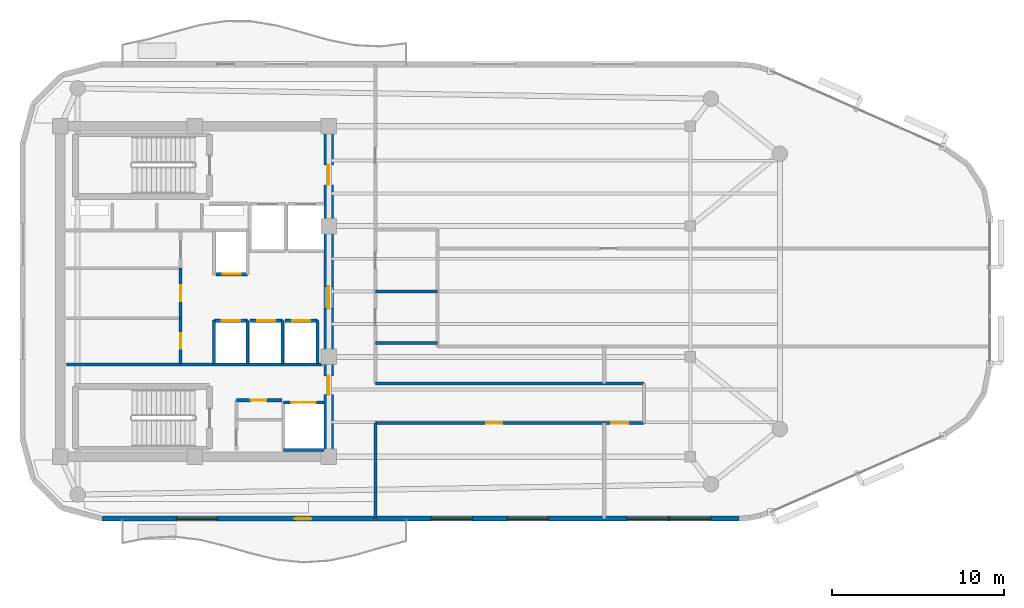
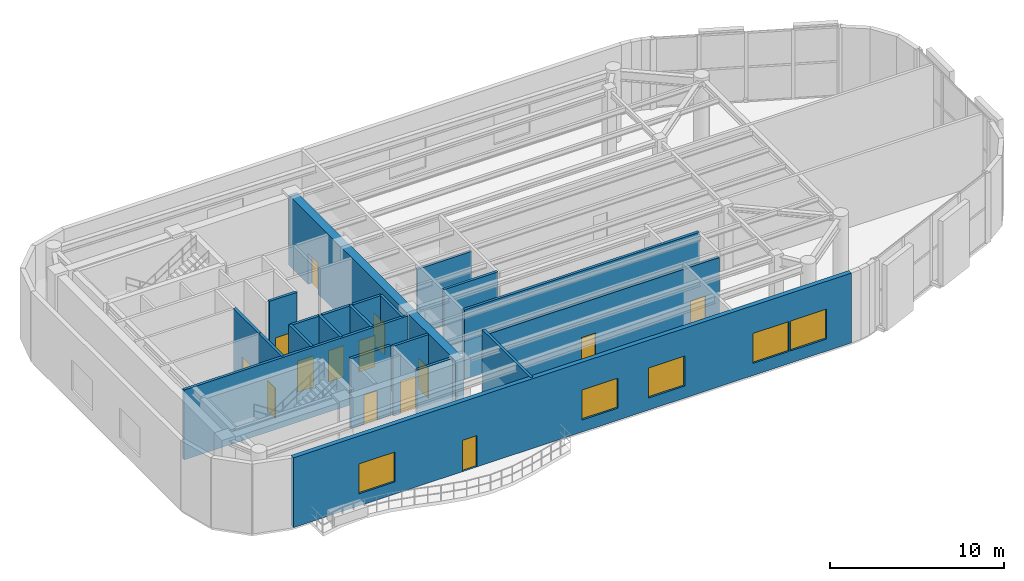
# One storey, part 8 of 12: 21 walls, 14 doors, 5 windows, 19 openings.
"""IFC4 building model written with IfcOpenShell, lengths in metres."""

from ifc_helpers import new_model, si_unit, direction, frame, frame_2d, origin, place, context, subcontext, project, spatial, rectangle, extrude, material, layer, layer_set, type_object, element, fill, save


model = new_model("IFC4")

# Units and contexts
model_context = context("Model", 3, precision=1e-05, world=origin(), true_north=direction((0.0, 1.0)))
body_context = subcontext(model_context, "Body", "Model", "MODEL_VIEW")
ifc_project = project(units=[si_unit("LENGTHUNIT", "METRE"), si_unit("AREAUNIT", "SQUARE_METRE"), si_unit("VOLUMEUNIT", "CUBIC_METRE"), si_unit("PLANEANGLEUNIT", "RADIAN"), si_unit("MASSUNIT", "GRAM", prefix="KILO")], contexts=[model_context])

# Site, building, storey
site_placement = place(None, origin())
site = spatial("IfcSite", under=ifc_project, at=site_placement, CompositionType="ELEMENT")
building_placement = place(site_placement, origin())
building = spatial("IfcBuilding", under=site, at=building_placement, Name="An Khanh Terracotta Commons", CompositionType="ELEMENT")
storey_placement = place(building_placement, frame((0.0, 0.0, 253.699951171875)))
storey = spatial("IfcBuildingStorey", under=building, at=storey_placement, Name="L66", CompositionType="ELEMENT", Elevation=253.699951171875)

# Wall, openings, doors
ifc_material_1 = material(Name="Concrete C50/60", Category="concrete")
ifc_layer_1 = layer(ifc_material_1, 0.550048828125, Name="Concrete C50/60")
ifc_layer_set_1 = layer_set([ifc_layer_1], Name="Concrete C50/60")
wall_type_1 = type_object("IfcWallType", Name="WALL-CORE-550", PredefinedType="SHEAR", material=ifc_layer_set_1)
wall_1_placement = place(storey_placement, frame((37.199951171875, 14.39990234375, 0.0), z_axis=(0.0, 0.0, 1.0), x_axis=(0.0, 1.0, 0.0)))
wall_1 = element("IfcWall", 1, at=wall_1_placement, inside=storey, type_object=wall_type_1, Name="L66 Core Wall CWALL-L66-E", PredefinedType="SHEAR", context=body_context, shape_type="SweptSolid", body=[
    extrude(rectangle(XDim=19.2001953125, YDim=0.550048828125, at=frame_2d((9.60009765625, 0.0))), origin(), (0.0, 0.0, 1.0), 4.900146484375),
])
opening_1_placement = place(wall_1_placement, frame((15.800048828125, 0.0, 0.0)))
opening_1 = element("IfcOpeningElement", 2, at=opening_1_placement, cuts=wall_1, Name="Opening D-FFL", PredefinedType="OPENING", context=body_context, shape_type="SweptSolid", body=[
    extrude(rectangle(XDim=1.14990234375, YDim=2.14990234375, at=frame_2d((0.574951171875, 1.074951171875))), frame((0.0, 0.284912109375, 0.0), z_axis=(0.0, -1.0, 0.0), x_axis=(1.0, 0.0, 0.0)), (0.0, 0.0, 1.0), 0.570068359375),
])
opening_2_placement = place(wall_1_placement, frame((3.60009765625, 0.0, 0.0)))
opening_2 = element("IfcOpeningElement", 3, at=opening_2_placement, cuts=wall_1, Name="Opening D-ST", PredefinedType="OPENING", context=body_context, shape_type="SweptSolid", body=[
    extrude(rectangle(XDim=1.10009765625, YDim=2.14990234375, at=frame_2d((0.550048828125, 1.074951171875))), frame((0.0, 0.284912109375, 0.0), z_axis=(0.0, -1.0, 0.0), x_axis=(1.0, 0.0, 0.0)), (0.0, 0.0, 1.0), 0.570068359375),
])
opening_3_placement = place(wall_1_placement, frame((8.60009765625, 0.0, 0.0)))
opening_3 = element("IfcOpeningElement", 4, at=opening_3_placement, cuts=wall_1, Name="Opening D-COR", PredefinedType="OPENING", context=body_context, shape_type="SweptSolid", body=[
    extrude(rectangle(XDim=1.300048828125, YDim=2.199951171875, at=frame_2d((0.64990234375, 1.10009765625))), frame((0.0, 0.284912109375, 0.0), z_axis=(0.0, -1.0, 0.0), x_axis=(1.0, 0.0, 0.0)), (0.0, 0.0, 1.0), 0.570068359375),
])
ifc_material_2 = material(Name="Fire-Rated Glazed Steel Double Door", Category="steel")
door_type_1 = type_object("IfcDoorType", Name="DOOR-CORR-1300", OperationType="NOTDEFINED", PredefinedType="DOOR", material=ifc_material_2)
door_1_placement = place(opening_3_placement, origin())
door_1 = element("IfcDoor", 5, at=door_1_placement, inside=storey, type_object=door_type_1, Name="L66 Passenger Lift Lobby Double Door", OperationType="DOUBLE_DOOR_SINGLE_SWING", OverallHeight=2.199951171875, OverallWidth=1.300048828125, PredefinedType="DOOR", context=body_context, shape_type="SweptSolid", body=[
    extrude(rectangle(XDim=1.300048828125, YDim=2.199951171875, at=frame_2d((0.64990234375, 1.10009765625))), frame((0.0, 0.02490234375, 0.0), z_axis=(0.0, -1.0, 0.0), x_axis=(1.0, 0.0, 0.0)), (0.0, 0.0, 1.0), 0.050048828125),
])
fill(opening_3, door_1)
ifc_material_3 = material(Name="Fire-Rated Steel Leaf and Vision Panel", Category="steel")
door_type_2 = type_object("IfcDoorType", Name="DOOR-FFL-1150", OperationType="NOTDEFINED", PredefinedType="DOOR", material=ifc_material_3)
door_2_placement = place(opening_1_placement, origin())
door_2 = element("IfcDoor", 6, at=door_2_placement, inside=storey, type_object=door_type_2, Name="L66 Firefighting Lift Lobby Fire Door", OperationType="SINGLE_SWING_LEFT", OverallHeight=2.14990234375, OverallWidth=1.14990234375, PredefinedType="DOOR", context=body_context, shape_type="SweptSolid", body=[
    extrude(rectangle(XDim=1.14990234375, YDim=2.14990234375, at=frame_2d((0.574951171875, 1.074951171875))), frame((0.0, 0.02490234375, 0.0), z_axis=(0.0, -1.0, 0.0), x_axis=(1.0, 0.0, 0.0)), (0.0, 0.0, 1.0), 0.050048828125),
])
fill(opening_1, door_2)
ifc_material_4 = material(Name="Fire-Rated Steel Leaf and Frame", Category="steel")
door_type_3 = type_object("IfcDoorType", Name="DOOR-STAIR-1100", OperationType="NOTDEFINED", PredefinedType="DOOR", material=ifc_material_4)
door_3_placement = place(opening_2_placement, origin())
door_3 = element("IfcDoor", 7, at=door_3_placement, inside=storey, type_object=door_type_3, Name="L66 South Stair Lobby Fire Door", OperationType="SINGLE_SWING_RIGHT", OverallHeight=2.14990234375, OverallWidth=1.10009765625, PredefinedType="DOOR", context=body_context, shape_type="SweptSolid", body=[
    extrude(rectangle(XDim=1.10009765625, YDim=2.14990234375, at=frame_2d((0.550048828125, 1.074951171875))), frame((0.0, 0.02490234375, 0.0), z_axis=(0.0, -1.0, 0.0), x_axis=(1.0, 0.0, 0.0)), (0.0, 0.0, 1.0), 0.050048828125),
])
fill(opening_2, door_3)

# Wall
ifc_material_5 = material(Name="Fire-Rated Gypsum Board on Steel Stud", Category="steel")
ifc_layer_2 = layer(ifc_material_5, 0.179931640625, Name="Fire-Rated Gypsum Board on Steel Stud")
ifc_layer_set_2 = layer_set([ifc_layer_2], Name="Fire-Rated Gypsum Board on Steel Stud")
wall_type_2 = type_object("IfcWallType", Name="WALL-CORR-180", PredefinedType="PARTITIONING", material=ifc_layer_set_2)
wall_2_placement = place(storey_placement, frame((21.949951171875, 19.760009765625, 0.0), z_axis=(0.0, 0.0, 1.0), x_axis=(1.0, 0.0, 0.0)))
element("IfcWall", 8, at=wall_2_placement, inside=storey, type_object=wall_type_2, Name="L66 Core Wall SVW-L66-N", PredefinedType="PARTITIONING", context=body_context, shape_type="SweptSolid", body=[
    extrude(rectangle(XDim=14.8701171875, YDim=0.179931640625, at=frame_2d((7.43505859375, 0.0))), origin(), (0.0, 0.0, 1.0), 4.900146484375),
])

# Wall, opening, door
wall_3_placement = place(storey_placement, frame((31.820068359375, 17.679931640625, 0.0), z_axis=(0.0, 0.0, 1.0), x_axis=(1.0, 0.0, 0.0)))
wall_3 = element("IfcWall", 9, at=wall_3_placement, inside=storey, type_object=wall_type_2, Name="L66 Core Wall SSVCW-L66-N", PredefinedType="PARTITIONING", context=body_context, shape_type="SweptSolid", body=[
    extrude(rectangle(XDim=2.659912109375, YDim=0.179931640625, at=frame_2d((1.330078125, 0.0))), origin(), (0.0, 0.0, 1.0), 4.900146484375),
])
opening_4_placement = place(wall_3_placement, frame((0.85009765625, 0.0, 0.0)))
opening_4 = element("IfcOpeningElement", 10, at=opening_4_placement, cuts=wall_3, Name="Opening D-SV", PredefinedType="OPENING", context=body_context, shape_type="SweptSolid", body=[
    extrude(rectangle(XDim=0.89990234375, YDim=2.050048828125, at=frame_2d((0.449951171875, 1.02490234375))), frame((0.0, 0.099853515625, 0.0), z_axis=(0.0, -1.0, 0.0), x_axis=(1.0, 0.0, 0.0)), (0.0, 0.0, 1.0), 0.199951171875),
])
ifc_material_6 = material(Name="Fire-Rated Powder-Coated Steel Door", Category="steel")
door_type_4 = type_object("IfcDoorType", Name="DOOR-SERV-900", OperationType="NOTDEFINED", PredefinedType="DOOR", material=ifc_material_6)
door_4_placement = place(opening_4_placement, origin())
door_4 = element("IfcDoor", 11, at=door_4_placement, inside=storey, type_object=door_type_4, Name="L66 Core Cleaner Store Door", OperationType="SINGLE_SWING_LEFT", OverallHeight=2.050048828125, OverallWidth=0.89990234375, PredefinedType="DOOR", context=body_context, shape_type="SweptSolid", body=[
    extrude(rectangle(XDim=0.89990234375, YDim=2.050048828125, at=frame_2d((0.449951171875, 1.02490234375))), frame((0.0, 0.02490234375, 0.0), z_axis=(0.0, -1.0, 0.0), x_axis=(1.0, 0.0, 0.0)), (0.0, 0.0, 1.0), 0.050048828125),
])
fill(opening_4, door_4)

wall_4_placement = place(storey_placement, frame((34.550048828125, 17.550048828125, 0.0), z_axis=(0.0, 0.0, 1.0), x_axis=(1.0, 0.0, 0.0)))
wall_4 = element("IfcWall", 12, at=wall_4_placement, inside=storey, type_object=wall_type_2, Name="L66 Core Wall LSH-L66-SVL-01-N", PredefinedType="PARTITIONING", context=body_context, shape_type="SweptSolid", body=[
    extrude(rectangle(XDim=2.349853515625, YDim=0.179931640625, at=frame_2d((1.1748046875, 0.0))), origin(), (0.0, 0.0, 1.0), 4.900146484375),
])
opening_5_placement = place(wall_4_placement, frame((0.47509765625, 0.0, 0.0)))
opening_5 = element("IfcOpeningElement", 13, at=opening_5_placement, cuts=wall_4, Name="Opening LD-SVL-01-L66", PredefinedType="OPENING", context=body_context, shape_type="SweptSolid", body=[
    extrude(rectangle(XDim=1.39990234375, YDim=2.300048828125, at=frame_2d((0.699951171875, 1.14990234375))), frame((0.0, 0.099853515625, 0.0), z_axis=(0.0, -1.0, 0.0), x_axis=(1.0, 0.0, 0.0)), (0.0, 0.0, 1.0), 0.199951171875),
])
ifc_material_7 = material(Name="Heavy-Duty Stainless Steel Goods Landing Door", Category="steel")
door_type_5 = type_object("IfcDoorType", Name="DOOR-LD-SVL-1400", OperationType="NOTDEFINED", PredefinedType="DOOR", material=ifc_material_7)
door_5_placement = place(opening_5_placement, origin())
door_5 = element("IfcDoor", 14, at=door_5_placement, inside=storey, type_object=door_type_5, Name="L66 Lift SVL-01 Sliding Landing Door", OperationType="DOUBLE_DOOR_SLIDING", OverallHeight=2.300048828125, OverallWidth=1.39990234375, PredefinedType="DOOR", context=body_context, shape_type="SweptSolid", body=[
    extrude(rectangle(XDim=1.39990234375, YDim=2.300048828125, at=frame_2d((0.699951171875, 1.14990234375))), frame((0.0, 0.02490234375, 0.0), z_axis=(0.0, -1.0, 0.0), x_axis=(1.0, 0.0, 0.0)), (0.0, 0.0, 1.0), 0.050048828125),
])
fill(opening_5, door_5)

# Wall
wall_5_placement = place(storey_placement, frame((36.89990234375, 14.800048828125, 0.0), z_axis=(0.0, 0.0, 1.0), x_axis=(-1.0, 0.0, 0.0)))
element("IfcWall", 15, at=wall_5_placement, inside=storey, type_object=wall_type_2, Name="L66 Core Wall LSH-L66-SVL-01-S", PredefinedType="PARTITIONING", context=body_context, shape_type="SweptSolid", body=[
    extrude(rectangle(XDim=2.349853515625, YDim=0.179931640625, at=frame_2d((1.1748046875, 0.0))), origin(), (0.0, 0.0, 1.0), 4.900146484375),
])

# Wall, opening, door
wall_6_placement = place(storey_placement, frame((32.4599609375, 25.0, 0.0), z_axis=(0.0, 0.0, 1.0), x_axis=(-1.0, 0.0, 0.0)))
wall_6 = element("IfcWall", 16, at=wall_6_placement, inside=storey, type_object=wall_type_2, Name="L66 Core Wall LSH-L66-PL-H1-S", PredefinedType="PARTITIONING", context=body_context, shape_type="SweptSolid", body=[
    extrude(rectangle(XDim=1.820068359375, YDim=0.179931640625, at=frame_2d((0.91015625, 0.0))), origin(), (0.0, 0.0, 1.0), 4.900146484375),
])
opening_6_placement = place(wall_6_placement, frame((0.385009765625, 0.0, 0.0)))
opening_6 = element("IfcOpeningElement", 17, at=opening_6_placement, cuts=wall_6, Name="Opening LD-PL-H1-L66", PredefinedType="OPENING", context=body_context, shape_type="SweptSolid", body=[
    extrude(rectangle(XDim=1.050048828125, YDim=2.199951171875, at=frame_2d((0.52490234375, 1.10009765625))), frame((0.0, 0.099853515625, 0.0), z_axis=(0.0, -1.0, 0.0), x_axis=(1.0, 0.0, 0.0)), (0.0, 0.0, 1.0), 0.199951171875),
])
ifc_material_8 = material(Name="Brushed Stainless Steel High-Rise Landing Door", Category="steel")
door_type_6 = type_object("IfcDoorType", Name="DOOR-LD-PAXH-1050", OperationType="NOTDEFINED", PredefinedType="DOOR", material=ifc_material_8)
door_6_placement = place(opening_6_placement, origin())
door_6 = element("IfcDoor", 18, at=door_6_placement, inside=storey, type_object=door_type_6, Name="L66 Lift PL-H1 Sliding Landing Door", OperationType="DOUBLE_DOOR_SLIDING", OverallHeight=2.199951171875, OverallWidth=1.050048828125, PredefinedType="DOOR", context=body_context, shape_type="SweptSolid", body=[
    extrude(rectangle(XDim=1.050048828125, YDim=2.199951171875, at=frame_2d((0.52490234375, 1.10009765625))), frame((0.0, 0.02490234375, 0.0), z_axis=(0.0, -1.0, 0.0), x_axis=(1.0, 0.0, 0.0)), (0.0, 0.0, 1.0), 0.050048828125),
])
fill(opening_6, door_6)

wall_7_placement = place(storey_placement, frame((30.56005859375, 22.300048828125, 0.0), z_axis=(0.0, 0.0, 1.0), x_axis=(1.0, 0.0, 0.0)))
wall_7 = element("IfcWall", 19, at=wall_7_placement, inside=storey, type_object=wall_type_2, Name="L66 Core Wall LSH-L66-PL-H2-N", PredefinedType="PARTITIONING", context=body_context, shape_type="SweptSolid", body=[
    extrude(rectangle(XDim=1.89990234375, YDim=0.179931640625, at=frame_2d((0.949951171875, 0.0))), origin(), (0.0, 0.0, 1.0), 4.900146484375),
])
opening_7_placement = place(wall_7_placement, frame((0.425048828125, 0.0, 0.0)))
opening_7 = element("IfcOpeningElement", 20, at=opening_7_placement, cuts=wall_7, Name="Opening LD-PL-H2-L66", PredefinedType="OPENING", context=body_context, shape_type="SweptSolid", body=[
    extrude(rectangle(XDim=1.050048828125, YDim=2.199951171875, at=frame_2d((0.52490234375, 1.10009765625))), frame((0.0, 0.099853515625, 0.0), z_axis=(0.0, -1.0, 0.0), x_axis=(1.0, 0.0, 0.0)), (0.0, 0.0, 1.0), 0.199951171875),
])
door_7_placement = place(opening_7_placement, origin())
door_7 = element("IfcDoor", 21, at=door_7_placement, inside=storey, type_object=door_type_6, Name="L66 Lift PL-H2 Sliding Landing Door", OperationType="DOUBLE_DOOR_SLIDING", OverallHeight=2.199951171875, OverallWidth=1.050048828125, PredefinedType="DOOR", context=body_context, shape_type="SweptSolid", body=[
    extrude(rectangle(XDim=1.050048828125, YDim=2.199951171875, at=frame_2d((0.52490234375, 1.10009765625))), frame((0.0, 0.02490234375, 0.0), z_axis=(0.0, -1.0, 0.0), x_axis=(1.0, 0.0, 0.0)), (0.0, 0.0, 1.0), 0.050048828125),
])
fill(opening_7, door_7)

# Wall
wall_8_placement = place(storey_placement, frame((32.4599609375, 19.800048828125, 0.0), z_axis=(0.0, 0.0, 1.0), x_axis=(0.0, 1.0, 0.0)))
element("IfcWall", 22, at=wall_8_placement, inside=storey, type_object=wall_type_2, Name="L66 Core Wall LSH-L66-PL-H2-E", PredefinedType="PARTITIONING", context=body_context, shape_type="SweptSolid", body=[
    extrude(rectangle(XDim=2.5, YDim=0.179931640625, at=frame_2d((1.25, 0.0))), origin(), (0.0, 0.0, 1.0), 4.900146484375),
])

# Wall, opening, door
wall_9_placement = place(storey_placement, frame((32.60009765625, 22.300048828125, 0.0), z_axis=(0.0, 0.0, 1.0), x_axis=(1.0, 0.0, 0.0)))
wall_9 = element("IfcWall", 23, at=wall_9_placement, inside=storey, type_object=wall_type_2, Name="L66 Core Wall LSH-L66-PL-H3-N", PredefinedType="PARTITIONING", context=body_context, shape_type="SweptSolid", body=[
    extrude(rectangle(XDim=1.89990234375, YDim=0.179931640625, at=frame_2d((0.949951171875, 0.0))), origin(), (0.0, 0.0, 1.0), 4.900146484375),
])
opening_8_placement = place(wall_9_placement, frame((0.425048828125, 0.0, 0.0)))
opening_8 = element("IfcOpeningElement", 24, at=opening_8_placement, cuts=wall_9, Name="Opening LD-PL-H3-L66", PredefinedType="OPENING", context=body_context, shape_type="SweptSolid", body=[
    extrude(rectangle(XDim=1.050048828125, YDim=2.199951171875, at=frame_2d((0.52490234375, 1.10009765625))), frame((0.0, 0.099853515625, 0.0), z_axis=(0.0, -1.0, 0.0), x_axis=(1.0, 0.0, 0.0)), (0.0, 0.0, 1.0), 0.199951171875),
])
door_8_placement = place(opening_8_placement, origin())
door_8 = element("IfcDoor", 25, at=door_8_placement, inside=storey, type_object=door_type_6, Name="L66 Lift PL-H3 Sliding Landing Door", OperationType="DOUBLE_DOOR_SLIDING", OverallHeight=2.199951171875, OverallWidth=1.050048828125, PredefinedType="DOOR", context=body_context, shape_type="SweptSolid", body=[
    extrude(rectangle(XDim=1.050048828125, YDim=2.199951171875, at=frame_2d((0.52490234375, 1.10009765625))), frame((0.0, 0.02490234375, 0.0), z_axis=(0.0, -1.0, 0.0), x_axis=(1.0, 0.0, 0.0)), (0.0, 0.0, 1.0), 0.050048828125),
])
fill(opening_8, door_8)

# Wall
wall_10_placement = place(storey_placement, frame((34.5, 19.800048828125, 0.0), z_axis=(0.0, 0.0, 1.0), x_axis=(0.0, 1.0, 0.0)))
element("IfcWall", 26, at=wall_10_placement, inside=storey, type_object=wall_type_2, Name="L66 Core Wall LSH-L66-PL-H3-E", PredefinedType="PARTITIONING", context=body_context, shape_type="SweptSolid", body=[
    extrude(rectangle(XDim=2.5, YDim=0.179931640625, at=frame_2d((1.25, 0.0))), origin(), (0.0, 0.0, 1.0), 4.900146484375),
])

# Wall, opening, door
wall_11_placement = place(storey_placement, frame((34.639892578125, 22.300048828125, 0.0), z_axis=(0.0, 0.0, 1.0), x_axis=(1.0, 0.0, 0.0)))
wall_11 = element("IfcWall", 27, at=wall_11_placement, inside=storey, type_object=wall_type_2, Name="L66 Core Wall LSH-L66-PL-H4-N", PredefinedType="PARTITIONING", context=body_context, shape_type="SweptSolid", body=[
    extrude(rectangle(XDim=1.900146484375, YDim=0.179931640625, at=frame_2d((0.9501953125, 0.0))), origin(), (0.0, 0.0, 1.0), 4.900146484375),
])
opening_9_placement = place(wall_11_placement, frame((0.425048828125, 0.0, 0.0)))
opening_9 = element("IfcOpeningElement", 28, at=opening_9_placement, cuts=wall_11, Name="Opening LD-PL-H4-L66", PredefinedType="OPENING", context=body_context, shape_type="SweptSolid", body=[
    extrude(rectangle(XDim=1.050048828125, YDim=2.199951171875, at=frame_2d((0.52490234375, 1.10009765625))), frame((0.0, 0.099853515625, 0.0), z_axis=(0.0, -1.0, 0.0), x_axis=(1.0, 0.0, 0.0)), (0.0, 0.0, 1.0), 0.199951171875),
])
door_9_placement = place(opening_9_placement, origin())
door_9 = element("IfcDoor", 29, at=door_9_placement, inside=storey, type_object=door_type_6, Name="L66 Lift PL-H4 Sliding Landing Door", OperationType="DOUBLE_DOOR_SLIDING", OverallHeight=2.199951171875, OverallWidth=1.050048828125, PredefinedType="DOOR", context=body_context, shape_type="SweptSolid", body=[
    extrude(rectangle(XDim=1.050048828125, YDim=2.199951171875, at=frame_2d((0.52490234375, 1.10009765625))), frame((0.0, 0.02490234375, 0.0), z_axis=(0.0, -1.0, 0.0), x_axis=(1.0, 0.0, 0.0)), (0.0, 0.0, 1.0), 0.050048828125),
])
fill(opening_9, door_9)

# Walls
wall_12_placement = place(storey_placement, frame((36.5400390625, 19.800048828125, 0.0), z_axis=(0.0, 0.0, 1.0), x_axis=(0.0, 1.0, 0.0)))
element("IfcWall", 30, at=wall_12_placement, inside=storey, type_object=wall_type_2, Name="L66 Core Wall LSH-L66-PL-H4-E", PredefinedType="PARTITIONING", context=body_context, shape_type="SweptSolid", body=[
    extrude(rectangle(XDim=2.5, YDim=0.179931640625, at=frame_2d((1.25, 0.0))), origin(), (0.0, 0.0, 1.0), 4.900146484375),
])
wall_13_placement = place(storey_placement, frame((30.52001953125, 19.800048828125, 0.0), z_axis=(0.0, 0.0, 1.0), x_axis=(0.0, 1.0, 0.0)))
element("IfcWall", 31, at=wall_13_placement, inside=storey, type_object=wall_type_2, Name="L66 Core Wall RECW-L66-BE2", PredefinedType="PARTITIONING", context=body_context, shape_type="SweptSolid", body=[
    extrude(rectangle(XDim=2.550048828125, YDim=0.179931640625, at=frame_2d((1.27490234375, 0.0))), origin(), (0.0, 0.0, 1.0), 4.900146484375),
])

# Wall, opening, door
wall_14_placement = place(storey_placement, frame((28.580078125, 22.449951171875, 0.0), z_axis=(0.0, 0.0, 1.0), x_axis=(0.0, 1.0, 0.0)))
wall_14 = element("IfcWall", 32, at=wall_14_placement, inside=storey, type_object=wall_type_2, Name="L66 Core Wall RECW-L66-E2", PredefinedType="PARTITIONING", context=body_context, shape_type="SweptSolid", body=[
    extrude(rectangle(XDim=2.900146484375, YDim=0.179931640625, at=frame_2d((1.4501953125, 0.0))), origin(), (0.0, 0.0, 1.0), 4.900146484375),
])
opening_10_placement = place(wall_14_placement, frame((0.989990234375, 0.0, 0.0)))
opening_10 = element("IfcOpeningElement", 33, at=opening_10_placement, cuts=wall_14, Name="Opening D-RM", PredefinedType="OPENING", context=body_context, shape_type="SweptSolid", body=[
    extrude(rectangle(XDim=0.919921875, YDim=2.10009765625, at=frame_2d((0.4599609375, 1.050048828125))), frame((0.0, 0.099853515625, 0.0), z_axis=(0.0, -1.0, 0.0), x_axis=(1.0, 0.0, 0.0)), (0.0, 0.0, 1.0), 0.199951171875),
])
ifc_material_9 = material(Name="Engineered Hardwood Timber Leaf", Category="wood")
door_type_7 = type_object("IfcDoorType", Name="DOOR-INT-920", OperationType="NOTDEFINED", PredefinedType="DOOR", material=ifc_material_9)
door_10_placement = place(opening_10_placement, origin())
door_10 = element("IfcDoor", 34, at=door_10_placement, inside=storey, type_object=door_type_7, Name="L66 Floor Pantry and Tea Room Door", OperationType="SINGLE_SWING_RIGHT", OverallHeight=2.10009765625, OverallWidth=0.919921875, PredefinedType="DOOR", context=body_context, shape_type="SweptSolid", body=[
    extrude(rectangle(XDim=0.919921875, YDim=2.10009765625, at=frame_2d((0.4599609375, 1.050048828125))), frame((0.0, 0.02490234375, 0.0), z_axis=(0.0, -1.0, 0.0), x_axis=(1.0, 0.0, 0.0)), (0.0, 0.0, 1.0), 0.050048828125),
])
fill(opening_10, door_10)

wall_15_placement = place(storey_placement, frame((28.580078125, 19.800048828125, 0.0), z_axis=(0.0, 0.0, 1.0), x_axis=(0.0, 1.0, 0.0)))
wall_15 = element("IfcWall", 35, at=wall_15_placement, inside=storey, type_object=wall_type_2, Name="L66 Core Wall RECW-L66-E3", PredefinedType="PARTITIONING", context=body_context, shape_type="SweptSolid", body=[
    extrude(rectangle(XDim=2.64990234375, YDim=0.179931640625, at=frame_2d((1.324951171875, 0.0))), origin(), (0.0, 0.0, 1.0), 4.900146484375),
])
opening_11_placement = place(wall_15_placement, frame((0.864990234375, 0.0, 0.0)))
opening_11 = element("IfcOpeningElement", 36, at=opening_11_placement, cuts=wall_15, Name="Opening D-RM", PredefinedType="OPENING", context=body_context, shape_type="SweptSolid", body=[
    extrude(rectangle(XDim=0.919921875, YDim=2.10009765625, at=frame_2d((0.4599609375, 1.050048828125))), frame((0.0, 0.099853515625, 0.0), z_axis=(0.0, -1.0, 0.0), x_axis=(1.0, 0.0, 0.0)), (0.0, 0.0, 1.0), 0.199951171875),
])
door_11_placement = place(opening_11_placement, origin())
door_11 = element("IfcDoor", 37, at=door_11_placement, inside=storey, type_object=door_type_7, Name="L66 Communal Laundry Room Door", OperationType="SINGLE_SWING_LEFT", OverallHeight=2.10009765625, OverallWidth=0.919921875, PredefinedType="DOOR", context=body_context, shape_type="SweptSolid", body=[
    extrude(rectangle(XDim=0.919921875, YDim=2.10009765625, at=frame_2d((0.4599609375, 1.050048828125))), frame((0.0, 0.02490234375, 0.0), z_axis=(0.0, -1.0, 0.0), x_axis=(1.0, 0.0, 0.0)), (0.0, 0.0, 1.0), 0.050048828125),
])
fill(opening_11, door_11)

# Wall, openings, doors
wall_16_placement = place(storey_placement, frame((39.89990234375, 16.35009765625, 0.0), z_axis=(0.0, 0.0, 1.0), x_axis=(1.0, 0.0, 0.0)))
wall_16 = element("IfcWall", 38, at=wall_16_placement, inside=storey, type_object=wall_type_2, Name="L66 Interior Partition IW-L66-E001", PredefinedType="PARTITIONING", context=body_context, shape_type="SweptSolid", body=[
    extrude(rectangle(XDim=15.60009765625, YDim=0.179931640625, at=frame_2d((7.800048828125, 0.0))), origin(), (0.0, 0.0, 1.0), 4.52197265625),
])
opening_12_placement = place(wall_16_placement, frame((6.449951171875, 0.0, 0.0)))
opening_12 = element("IfcOpeningElement", 39, at=opening_12_placement, cuts=wall_16, Name="Opening D-RM", PredefinedType="OPENING", context=body_context, shape_type="SweptSolid", body=[
    extrude(rectangle(XDim=0.919921875, YDim=2.10009765625, at=frame_2d((0.4599609375, 1.050048828125))), frame((0.0, 0.099853515625, 0.0), z_axis=(0.0, -1.0, 0.0), x_axis=(1.0, 0.0, 0.0)), (0.0, 0.0, 1.0), 0.199951171875),
])
opening_13_placement = place(wall_16_placement, frame((13.68994140625, 0.0, 0.0)))
opening_13 = element("IfcOpeningElement", 40, at=opening_13_placement, cuts=wall_16, Name="Opening D-UN", PredefinedType="OPENING", context=body_context, shape_type="SweptSolid", body=[
    extrude(rectangle(XDim=1.0, YDim=2.14990234375, at=frame_2d((0.5, 1.074951171875))), frame((0.0, 0.099853515625, 0.0), z_axis=(0.0, -1.0, 0.0), x_axis=(1.0, 0.0, 0.0)), (0.0, 0.0, 1.0), 0.199951171875),
])
door_12_placement = place(opening_12_placement, origin())
door_12 = element("IfcDoor", 41, at=door_12_placement, inside=storey, type_object=door_type_7, Name="L66 SSEM Visiting Scholar Office Door", OperationType="SINGLE_SWING_LEFT", OverallHeight=2.10009765625, OverallWidth=0.919921875, PredefinedType="DOOR", context=body_context, shape_type="SweptSolid", body=[
    extrude(rectangle(XDim=0.919921875, YDim=2.10009765625, at=frame_2d((0.4599609375, 1.050048828125))), frame((0.0, 0.02490234375, 0.0), z_axis=(0.0, -1.0, 0.0), x_axis=(1.0, 0.0, 0.0)), (0.0, 0.0, 1.0), 0.050048828125),
])
fill(opening_12, door_12)
ifc_material_10 = material(Name="Solid-Core Hardwood Acoustic Fire Door", Category="wood")
door_type_8 = type_object("IfcDoorType", Name="DOOR-UNIT-1000", OperationType="NOTDEFINED", PredefinedType="DOOR", material=ifc_material_10)
door_13_placement = place(opening_13_placement, origin())
door_13 = element("IfcDoor", 42, at=door_13_placement, inside=storey, type_object=door_type_8, Name="L66 SWST Wellness Meditation Studio Door", OperationType="SINGLE_SWING_RIGHT", OverallHeight=2.14990234375, OverallWidth=1.0, PredefinedType="DOOR", context=body_context, shape_type="SweptSolid", body=[
    extrude(rectangle(XDim=1.0, YDim=2.14990234375, at=frame_2d((0.5, 1.074951171875))), frame((0.0, 0.02490234375, 0.0), z_axis=(0.0, -1.0, 0.0), x_axis=(1.0, 0.0, 0.0)), (0.0, 0.0, 1.0), 0.050048828125),
])
fill(opening_13, door_13)

# Walls
wall_17_placement = place(storey_placement, frame((39.89990234375, 18.64990234375, 0.0), z_axis=(0.0, 0.0, 1.0), x_axis=(1.0, 0.0, 0.0)))
element("IfcWall", 43, at=wall_17_placement, inside=storey, type_object=wall_type_2, Name="L66 Interior Partition IW-L66-E002", PredefinedType="PARTITIONING", context=body_context, shape_type="SweptSolid", body=[
    extrude(rectangle(XDim=15.60009765625, YDim=0.179931640625, at=frame_2d((7.800048828125, 0.0))), origin(), (0.0, 0.0, 1.0), 4.900146484375),
])
wall_18_placement = place(storey_placement, frame((39.89990234375, 21.0, 0.0), z_axis=(0.0, 0.0, 1.0), x_axis=(1.0, 0.0, 0.0)))
element("IfcWall", 44, at=wall_18_placement, inside=storey, type_object=wall_type_2, Name="L66 Interior Partition IW-L66-E004", PredefinedType="PARTITIONING", context=body_context, shape_type="SweptSolid", body=[
    extrude(rectangle(XDim=3.60009765625, YDim=0.179931640625, at=frame_2d((1.800048828125, 0.0))), origin(), (0.0, 0.0, 1.0), 4.900146484375),
])
wall_19_placement = place(storey_placement, frame((39.89990234375, 24.0, 0.0), z_axis=(0.0, 0.0, 1.0), x_axis=(1.0, 0.0, 0.0)))
element("IfcWall", 45, at=wall_19_placement, inside=storey, type_object=wall_type_2, Name="L66 Interior Partition IW-L66-E005", PredefinedType="PARTITIONING", context=body_context, shape_type="SweptSolid", body=[
    extrude(rectangle(XDim=3.60009765625, YDim=0.179931640625, at=frame_2d((1.800048828125, 0.0))), origin(), (0.0, 0.0, 1.0), 4.52197265625),
])
wall_20_placement = place(storey_placement, frame((39.89990234375, 10.800048828125, 0.0), z_axis=(0.0, 0.0, 1.0), x_axis=(0.0, 1.0, 0.0)))
element("IfcWall", 46, at=wall_20_placement, inside=storey, type_object=wall_type_2, Name="L66 Interior Partition IW-L66-E008", PredefinedType="PARTITIONING", context=body_context, shape_type="SweptSolid", body=[
    extrude(rectangle(XDim=5.550048828125, YDim=0.179931640625, at=frame_2d((2.77490234375, 0.0))), origin(), (0.0, 0.0, 1.0), 4.900146484375),
])

# Wall, openings, door, windows
ifc_material_11 = material(Name="Precast concrete C40/50", Category="concrete")
ifc_layer_3 = layer(ifc_material_11, 0.300048828125, Name="Precast concrete C40/50")
ifc_layer_set_3 = layer_set([ifc_layer_3], Name="Precast concrete C40/50")
wall_type_3 = type_object("IfcWallType", Name="WALL-EXT-300", PredefinedType="SOLIDWALL", material=ifc_layer_set_3)
wall_21_placement = place(storey_placement, frame((24.0, 10.800048828125, 0.0), z_axis=(0.0, 0.0, 1.0), x_axis=(1.0, 0.0, 0.0)))
wall_21 = element("IfcWall", 47, at=wall_21_placement, inside=storey, type_object=wall_type_3, Name="L66 Insulated Terracotta Exterior Wall 4", PredefinedType="SOLIDWALL", context=body_context, shape_type="SweptSolid", body=[
    extrude(rectangle(XDim=37.030029296875, YDim=0.300048828125, at=frame_2d((18.51513671875, 0.0))), origin(), (0.0, 0.0, 1.0), 4.900146484375),
])
opening_14_placement = place(wall_21_placement, frame((11.22509765625, 0.0, 0.0)))
opening_14 = element("IfcOpeningElement", 48, at=opening_14_placement, cuts=wall_21, Name="Opening D-BAL", PredefinedType="OPENING", context=body_context, shape_type="SweptSolid", body=[
    extrude(rectangle(XDim=0.949951171875, YDim=2.199951171875, at=frame_2d((0.47509765625, 1.10009765625))), frame((0.0, 0.159912109375, 0.0), z_axis=(0.0, -1.0, 0.0), x_axis=(1.0, 0.0, 0.0)), (0.0, 0.0, 1.0), 0.320068359375),
])
opening_15_placement = place(wall_21_placement, frame((4.3330078125, 0.0, 0.85009765625)))
opening_15 = element("IfcOpeningElement", 49, at=opening_15_placement, cuts=wall_21, Name="Opening W-07", PredefinedType="OPENING", context=body_context, shape_type="SweptSolid", body=[
    extrude(rectangle(XDim=2.39990234375, YDim=2.10009765625, at=frame_2d((1.199951171875, 1.050048828125))), frame((0.0, 0.159912109375, 0.0), z_axis=(0.0, -1.0, 0.0), x_axis=(1.0, 0.0, 0.0)), (0.0, 0.0, 1.0), 0.320068359375),
])
opening_16_placement = place(wall_21_placement, frame((19.133056640625, 0.0, 0.85009765625)))
opening_16 = element("IfcOpeningElement", 50, at=opening_16_placement, cuts=wall_21, Name="Opening W-07", PredefinedType="OPENING", context=body_context, shape_type="SweptSolid", body=[
    extrude(rectangle(XDim=2.39990234375, YDim=2.10009765625, at=frame_2d((1.199951171875, 1.050048828125))), frame((0.0, 0.159912109375, 0.0), z_axis=(0.0, -1.0, 0.0), x_axis=(1.0, 0.0, 0.0)), (0.0, 0.0, 1.0), 0.320068359375),
])
opening_17_placement = place(wall_21_placement, frame((23.56689453125, 0.0, 0.85009765625)))
opening_17 = element("IfcOpeningElement", 51, at=opening_17_placement, cuts=wall_21, Name="Opening W-07", PredefinedType="OPENING", context=body_context, shape_type="SweptSolid", body=[
    extrude(rectangle(XDim=2.39990234375, YDim=2.10009765625, at=frame_2d((1.199951171875, 1.050048828125))), frame((0.0, 0.159912109375, 0.0), z_axis=(0.0, -1.0, 0.0), x_axis=(1.0, 0.0, 0.0)), (0.0, 0.0, 1.0), 0.320068359375),
])
opening_18_placement = place(wall_21_placement, frame((30.492919921875, 0.0, 0.85009765625)))
opening_18 = element("IfcOpeningElement", 52, at=opening_18_placement, cuts=wall_21, Name="Opening W-07", PredefinedType="OPENING", context=body_context, shape_type="SweptSolid", body=[
    extrude(rectangle(XDim=2.39990234375, YDim=2.10009765625, at=frame_2d((1.199951171875, 1.050048828125))), frame((0.0, 0.159912109375, 0.0), z_axis=(0.0, -1.0, 0.0), x_axis=(1.0, 0.0, 0.0)), (0.0, 0.0, 1.0), 0.320068359375),
])
opening_19_placement = place(wall_21_placement, frame((32.987060546875, 0.0, 0.85009765625)))
opening_19 = element("IfcOpeningElement", 53, at=opening_19_placement, cuts=wall_21, Name="Opening W-07", PredefinedType="OPENING", context=body_context, shape_type="SweptSolid", body=[
    extrude(rectangle(XDim=2.39990234375, YDim=2.10009765625, at=frame_2d((1.199951171875, 1.050048828125))), frame((0.0, 0.159912109375, 0.0), z_axis=(0.0, -1.0, 0.0), x_axis=(1.0, 0.0, 0.0)), (0.0, 0.0, 1.0), 0.320068359375),
])
ifc_material_12 = material(Name="Thermally Broken Aluminium and Low-E Glass", Category="aluminium")
door_type_9 = type_object("IfcDoorType", Name="DOOR-BALC-950", OperationType="NOTDEFINED", PredefinedType="DOOR", material=ifc_material_12)
door_14_placement = place(opening_14_placement, origin())
door_14 = element("IfcDoor", 54, at=door_14_placement, inside=storey, type_object=door_type_9, Name="L66 S Wave Balcony Glazed Door", OperationType="SINGLE_SWING_LEFT", OverallHeight=2.199951171875, OverallWidth=0.949951171875, PredefinedType="DOOR", context=body_context, shape_type="SweptSolid", body=[
    extrude(rectangle(XDim=0.949951171875, YDim=2.199951171875, at=frame_2d((0.47509765625, 1.10009765625))), frame((0.0, 0.02490234375, 0.0), z_axis=(0.0, -1.0, 0.0), x_axis=(1.0, 0.0, 0.0)), (0.0, 0.0, 1.0), 0.050048828125),
])
fill(opening_14, door_14)
window_type = type_object("IfcWindowType", Name="WIN-SKY-2400x2100", PartitioningType="TRIPLE_PANEL_VERTICAL", PredefinedType="WINDOW", material=ifc_material_12)
window_1_placement = place(opening_15_placement, origin())
window_1 = element("IfcWindow", 55, at=window_1_placement, inside=storey, type_object=window_type, Name="L66 Operable Casement Window 4.1", OverallHeight=2.10009765625, OverallWidth=2.39990234375, PartitioningType="TRIPLE_PANEL_VERTICAL", PredefinedType="WINDOW", context=body_context, shape_type="SweptSolid", body=[
    extrude(rectangle(XDim=2.39990234375, YDim=2.10009765625, at=frame_2d((1.199951171875, 1.050048828125))), frame((0.0, 0.030029296875, 0.0), z_axis=(0.0, -1.0, 0.0), x_axis=(1.0, 0.0, 0.0)), (0.0, 0.0, 1.0), 0.06005859375),
])
fill(opening_15, window_1)
window_2_placement = place(opening_16_placement, origin())
window_2 = element("IfcWindow", 56, at=window_2_placement, inside=storey, type_object=window_type, Name="L66 Operable Casement Window 4.2", OverallHeight=2.10009765625, OverallWidth=2.39990234375, PartitioningType="TRIPLE_PANEL_VERTICAL", PredefinedType="WINDOW", context=body_context, shape_type="SweptSolid", body=[
    extrude(rectangle(XDim=2.39990234375, YDim=2.10009765625, at=frame_2d((1.199951171875, 1.050048828125))), frame((0.0, 0.030029296875, 0.0), z_axis=(0.0, -1.0, 0.0), x_axis=(1.0, 0.0, 0.0)), (0.0, 0.0, 1.0), 0.06005859375),
])
fill(opening_16, window_2)
window_3_placement = place(opening_17_placement, origin())
window_3 = element("IfcWindow", 57, at=window_3_placement, inside=storey, type_object=window_type, Name="L66 Operable Casement Window 4.3", OverallHeight=2.10009765625, OverallWidth=2.39990234375, PartitioningType="TRIPLE_PANEL_VERTICAL", PredefinedType="WINDOW", context=body_context, shape_type="SweptSolid", body=[
    extrude(rectangle(XDim=2.39990234375, YDim=2.10009765625, at=frame_2d((1.199951171875, 1.050048828125))), frame((0.0, 0.030029296875, 0.0), z_axis=(0.0, -1.0, 0.0), x_axis=(1.0, 0.0, 0.0)), (0.0, 0.0, 1.0), 0.06005859375),
])
fill(opening_17, window_3)
window_4_placement = place(opening_18_placement, origin())
window_4 = element("IfcWindow", 58, at=window_4_placement, inside=storey, type_object=window_type, Name="L66 Operable Casement Window 4.4", OverallHeight=2.10009765625, OverallWidth=2.39990234375, PartitioningType="TRIPLE_PANEL_VERTICAL", PredefinedType="WINDOW", context=body_context, shape_type="SweptSolid", body=[
    extrude(rectangle(XDim=2.39990234375, YDim=2.10009765625, at=frame_2d((1.199951171875, 1.050048828125))), frame((0.0, 0.030029296875, 0.0), z_axis=(0.0, -1.0, 0.0), x_axis=(1.0, 0.0, 0.0)), (0.0, 0.0, 1.0), 0.06005859375),
])
fill(opening_18, window_4)
window_5_placement = place(opening_19_placement, origin())
window_5 = element("IfcWindow", 59, at=window_5_placement, inside=storey, type_object=window_type, Name="L66 Operable Casement Window 4.5", OverallHeight=2.10009765625, OverallWidth=2.39990234375, PartitioningType="TRIPLE_PANEL_VERTICAL", PredefinedType="WINDOW", context=body_context, shape_type="SweptSolid", body=[
    extrude(rectangle(XDim=2.39990234375, YDim=2.10009765625, at=frame_2d((1.199951171875, 1.050048828125))), frame((0.0, 0.030029296875, 0.0), z_axis=(0.0, -1.0, 0.0), x_axis=(1.0, 0.0, 0.0)), (0.0, 0.0, 1.0), 0.06005859375),
])
fill(opening_19, window_5)

save(model, "model.ifc")
